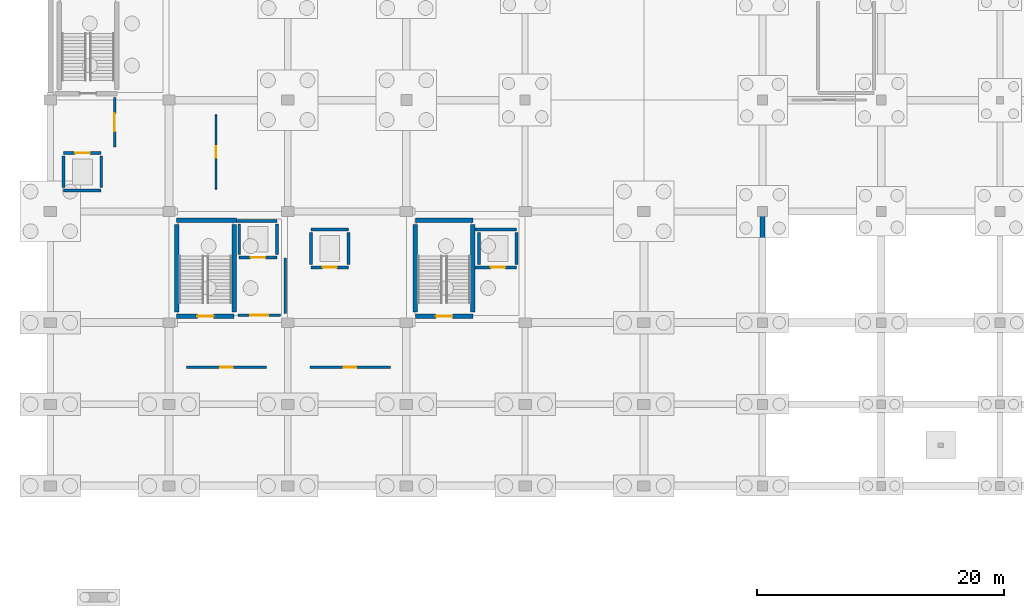
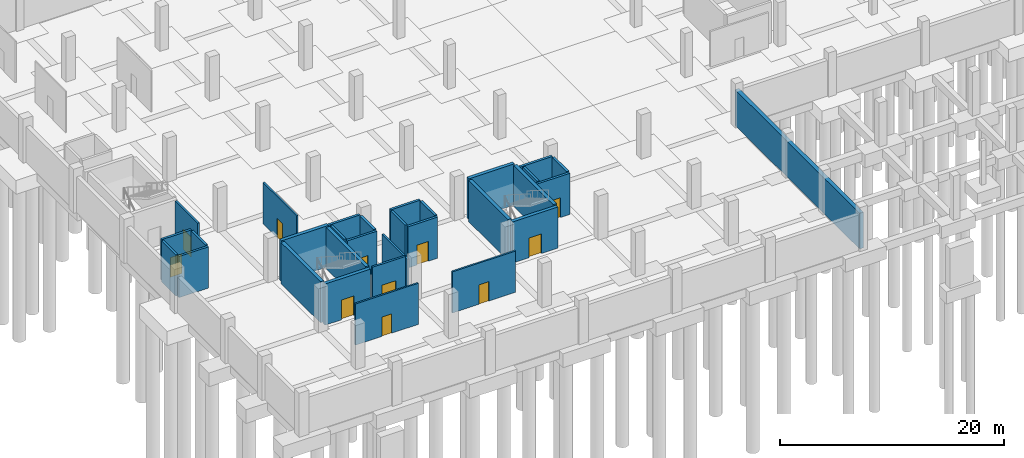
# One storey, part 25 of 39: 31 walls, 11 doors, 11 openings.
"""IFC4 building model written with IfcOpenShell, lengths in metres."""

from ifc_helpers import new_model, si_unit, direction, frame, frame_2d, origin, place, context, subcontext, project, spatial, rectangle, extrude, material, layer, layer_set, type_object, element, fill, save


model = new_model("IFC4")

# Units and contexts
model_context = context("Model", 3, precision=1e-05, world=origin(), true_north=direction((0.0, 1.0)))
body_context = subcontext(model_context, "Body", "Model", "MODEL_VIEW")
ifc_project = project(units=[si_unit("LENGTHUNIT", "METRE"), si_unit("AREAUNIT", "SQUARE_METRE"), si_unit("VOLUMEUNIT", "CUBIC_METRE"), si_unit("PLANEANGLEUNIT", "RADIAN"), si_unit("MASSUNIT", "GRAM", prefix="KILO")], contexts=[model_context])

# Site, building, storey
site_placement = place(None, origin())
site = spatial("IfcSite", under=ifc_project, at=site_placement, CompositionType="ELEMENT")
building_placement = place(site_placement, origin())
building = spatial("IfcBuilding", under=site, at=building_placement, Name="Zarnetskaya Central Station", CompositionType="ELEMENT")
storey_placement = place(building_placement, frame((0.0, 0.0, -4.800048828125)))
storey = spatial("IfcBuildingStorey", under=building, at=storey_placement, Name="B1", CompositionType="ELEMENT", Elevation=-4.800048828125)

# Wall, opening, door
ifc_material_1 = material(Name="Gypsum acoustic partition")
ifc_layer_1 = layer(ifc_material_1, 0.159912109375, Name="Gypsum acoustic partition")
ifc_layer_set_1 = layer_set([ifc_layer_1], Name="Gypsum acoustic partition")
wall_type_1 = type_object("IfcWallType", Name="PART-ACOU-160", PredefinedType="PARTITIONING", material=ifc_layer_set_1)
wall_1_placement = place(storey_placement, frame((13.39990234375, 24.0, 0.0), z_axis=(0.0, 0.0, 1.0), x_axis=(0.0, 1.0, 0.0)))
wall_1 = element("IfcWall", 1, at=wall_1_placement, inside=storey, type_object=wall_type_1, Name="Interior partition IPRT-B1-0374", PredefinedType="PARTITIONING", context=body_context, shape_type="SweptSolid", body=[
    extrude(rectangle(XDim=6.0, YDim=0.159912109375, at=frame_2d((3.0, 0.0))), origin(), (0.0, 0.0, 1.0), 4.47998046875),
])
opening_1_placement = place(wall_1_placement, frame((2.530029296875, 0.0, 0.0)))
opening_1 = element("IfcOpeningElement", 2, at=opening_1_placement, cuts=wall_1, Name="Opening DR-04", PredefinedType="OPENING", context=body_context, shape_type="SweptSolid", body=[
    extrude(rectangle(XDim=0.93994140625, YDim=2.1201171875, at=frame_2d((0.469970703125, 1.06005859375))), frame((0.0, 0.08984375, 0.0), z_axis=(0.0, -1.0, 0.0), x_axis=(1.0, 0.0, 0.0)), (0.0, 0.0, 1.0), 0.179931640625),
])
ifc_material_2 = material(Name="Anodised aluminium", Category="aluminium")
door_type_1 = type_object("IfcDoorType", Name="DR-INT-19", OperationType="NOTDEFINED", PredefinedType="DOOR", material=ifc_material_2)
door_1_placement = place(opening_1_placement, origin())
door_1 = element("IfcDoor", 3, at=door_1_placement, inside=storey, type_object=door_type_1, Name="Left Luggage Vault and Custody Hall door", OperationType="SINGLE_SWING_RIGHT", OverallHeight=2.1201171875, OverallWidth=0.93994140625, PredefinedType="DOOR", context=body_context, shape_type="SweptSolid", body=[
    extrude(rectangle(XDim=0.93994140625, YDim=2.1201171875, at=frame_2d((0.469970703125, 1.06005859375))), frame((0.0, 0.02490234375, 0.0), z_axis=(0.0, -1.0, 0.0), x_axis=(1.0, 0.0, 0.0)), (0.0, 0.0, 1.0), 0.050048828125),
])
fill(opening_1, door_1)

ifc_material_3 = material(Name="Concrete C30/37", Category="concrete")
ifc_layer_2 = layer(ifc_material_3, 0.205078125, Name="Concrete C30/37", Category="concrete")
ifc_layer_set_2 = layer_set([ifc_layer_2], Name="Concrete C30/37")
wall_type_2 = type_object("IfcWallType", Name="PART-FFL-205", PredefinedType="PARTITIONING", material=ifc_layer_set_2)
wall_2_placement = place(storey_placement, frame((18.60009765625, 13.800048828125, 0.0), z_axis=(0.0, 0.0, 1.0), x_axis=(-1.0, 0.0, 0.0)))
wall_2 = element("IfcWall", 4, at=wall_2_placement, inside=storey, type_object=wall_type_2, Name="Interior partition IPRT-B1-0353", PredefinedType="PARTITIONING", context=body_context, shape_type="SweptSolid", body=[
    extrude(rectangle(XDim=3.400146484375, YDim=0.205078125, at=frame_2d((1.7001953125, 0.0))), origin(), (0.0, 0.0, 1.0), 4.47998046875),
])
opening_2_placement = place(wall_2_placement, frame((0.97998046875, 0.0, 0.0)))
opening_2 = element("IfcOpeningElement", 5, at=opening_2_placement, cuts=wall_2, Name="Opening DR-FFL", PredefinedType="OPENING", context=body_context, shape_type="SweptSolid", body=[
    extrude(rectangle(XDim=1.43994140625, YDim=2.179931640625, at=frame_2d((0.719970703125, 1.08984375))), frame((0.0, 0.112548828125, 0.0), z_axis=(0.0, -1.0, 0.0), x_axis=(1.0, 0.0, 0.0)), (0.0, 0.0, 1.0), 0.22509765625),
])
door_type_2 = type_object("IfcDoorType", Name="DR-FIRE-LOBBY", OperationType="NOTDEFINED", PredefinedType="DOOR", material=ifc_material_2)
door_2_placement = place(opening_2_placement, origin())
door_2 = element("IfcDoor", 6, at=door_2_placement, inside=storey, type_object=door_type_2, Name="Firefighting Lift Lobby C1 door", OperationType="SINGLE_SWING_RIGHT", OverallHeight=2.179931640625, OverallWidth=1.43994140625, PredefinedType="DOOR", context=body_context, shape_type="SweptSolid", body=[
    extrude(rectangle(XDim=1.43994140625, YDim=2.179931640625, at=frame_2d((0.719970703125, 1.08984375))), frame((0.0, 0.02490234375, 0.0), z_axis=(0.0, -1.0, 0.0), x_axis=(1.0, 0.0, 0.0)), (0.0, 0.0, 1.0), 0.050048828125),
])
fill(opening_2, door_2)

# Wall
wall_3_placement = place(storey_placement, frame((19.0, 18.449951171875, 0.0), z_axis=(0.0, 0.0, 1.0), x_axis=(0.0, -1.0, 0.0)))
element("IfcWall", 7, at=wall_3_placement, inside=storey, type_object=wall_type_2, Name="Interior partition IPRT-B1-0354", PredefinedType="PARTITIONING", context=body_context, shape_type="SweptSolid", body=[
    extrude(rectangle(XDim=4.5, YDim=0.205078125, at=frame_2d((2.25, 0.0))), origin(), (0.0, 0.0, 1.0), 3.900146484375),
])

# Wall, opening, door
wall_4_placement = place(storey_placement, frame((5.199951171875, 31.39990234375, 0.0), z_axis=(0.0, 0.0, 1.0), x_axis=(0.0, -1.0, 0.0)))
wall_4 = element("IfcWall", 8, at=wall_4_placement, inside=storey, type_object=wall_type_2, Name="Interior partition IPRT-B1-0355", PredefinedType="PARTITIONING", context=body_context, shape_type="SweptSolid", body=[
    extrude(rectangle(XDim=4.0, YDim=0.205078125, at=frame_2d((2.0, 0.0))), origin(), (0.0, 0.0, 1.0), 4.47998046875),
])
opening_3_placement = place(wall_4_placement, frame((1.280029296875, 0.0, 0.0)))
opening_3 = element("IfcOpeningElement", 9, at=opening_3_placement, cuts=wall_4, Name="Opening DR-FFL", PredefinedType="OPENING", context=body_context, shape_type="SweptSolid", body=[
    extrude(rectangle(XDim=1.43994140625, YDim=2.179931640625, at=frame_2d((0.719970703125, 1.08984375))), frame((0.0, 0.112548828125, 0.0), z_axis=(0.0, -1.0, 0.0), x_axis=(1.0, 0.0, 0.0)), (0.0, 0.0, 1.0), 0.22509765625),
])
door_3_placement = place(opening_3_placement, origin())
door_3 = element("IfcDoor", 10, at=door_3_placement, inside=storey, type_object=door_type_2, Name="Firefighting Lift Lobby C2 door", OperationType="SINGLE_SWING_LEFT", OverallHeight=2.179931640625, OverallWidth=1.43994140625, PredefinedType="DOOR", context=body_context, shape_type="SweptSolid", body=[
    extrude(rectangle(XDim=1.43994140625, YDim=2.179931640625, at=frame_2d((0.719970703125, 1.08984375))), frame((0.0, 0.02490234375, 0.0), z_axis=(0.0, -1.0, 0.0), x_axis=(1.0, 0.0, 0.0)), (0.0, 0.0, 1.0), 0.050048828125),
])
fill(opening_3, door_3)

ifc_layer_3 = layer(ifc_material_3, 0.175048828125, Name="Concrete C30/37", Category="concrete")
ifc_layer_set_3 = layer_set([ifc_layer_3], Name="Concrete C30/37")
wall_type_3 = type_object("IfcWallType", Name="PART-PLNT-175", PredefinedType="PARTITIONING", material=ifc_layer_set_3)
wall_5_placement = place(storey_placement, frame((11.0, 9.60009765625, 0.0), z_axis=(0.0, 0.0, 1.0), x_axis=(1.0, 0.0, 0.0)))
wall_5 = element("IfcWall", 11, at=wall_5_placement, inside=storey, type_object=wall_type_3, Name="Interior partition IPRT-B1-0378", PredefinedType="PARTITIONING", context=body_context, shape_type="SweptSolid", body=[
    extrude(rectangle(XDim=6.5, YDim=0.175048828125, at=frame_2d((3.25, 0.0))), origin(), (0.0, 0.0, 1.0), 4.47998046875),
])
opening_4_placement = place(wall_5_placement, frame((2.760009765625, 0.0, 0.0)))
opening_4 = element("IfcOpeningElement", 12, at=opening_4_placement, cuts=wall_5, Name="Opening DR-22", PredefinedType="OPENING", context=body_context, shape_type="SweptSolid", body=[
    extrude(rectangle(XDim=0.97998046875, YDim=2.10009765625, at=frame_2d((0.489990234375, 1.050048828125))), frame((0.0, 0.09765625, 0.0), z_axis=(0.0, -1.0, 0.0), x_axis=(1.0, 0.0, 0.0)), (0.0, 0.0, 1.0), 0.195068359375),
])
door_type_3 = type_object("IfcDoorType", Name="DR-INT-03", OperationType="NOTDEFINED", PredefinedType="DOOR", material=ifc_material_2)
door_4_placement = place(opening_4_placement, origin())
door_4 = element("IfcDoor", 13, at=door_4_placement, inside=storey, type_object=door_type_3, Name="Traction and Station Electrical Substation West door", OperationType="SINGLE_SWING_RIGHT", OverallHeight=2.10009765625, OverallWidth=0.97998046875, PredefinedType="DOOR", context=body_context, shape_type="SweptSolid", body=[
    extrude(rectangle(XDim=0.97998046875, YDim=2.10009765625, at=frame_2d((0.489990234375, 1.050048828125))), frame((0.0, 0.02490234375, 0.0), z_axis=(0.0, -1.0, 0.0), x_axis=(1.0, 0.0, 0.0)), (0.0, 0.0, 1.0), 0.050048828125),
])
fill(opening_4, door_4)

wall_6_placement = place(storey_placement, frame((21.0, 9.60009765625, 0.0), z_axis=(0.0, 0.0, 1.0), x_axis=(1.0, 0.0, 0.0)))
wall_6 = element("IfcWall", 14, at=wall_6_placement, inside=storey, type_object=wall_type_3, Name="Interior partition IPRT-B1-0379", PredefinedType="PARTITIONING", context=body_context, shape_type="SweptSolid", body=[
    extrude(rectangle(XDim=6.5, YDim=0.175048828125, at=frame_2d((3.25, 0.0))), origin(), (0.0, 0.0, 1.0), 4.47998046875),
])
opening_5_placement = place(wall_6_placement, frame((2.75, 0.0, 0.0)))
opening_5 = element("IfcOpeningElement", 15, at=opening_5_placement, cuts=wall_6, Name="Opening DR-06", PredefinedType="OPENING", context=body_context, shape_type="SweptSolid", body=[
    extrude(rectangle(XDim=1.0, YDim=2.1201171875, at=frame_2d((0.5, 1.06005859375))), frame((0.0, 0.09765625, 0.0), z_axis=(0.0, -1.0, 0.0), x_axis=(1.0, 0.0, 0.0)), (0.0, 0.0, 1.0), 0.195068359375),
])
door_type_4 = type_object("IfcDoorType", Name="DR-INT-04", OperationType="NOTDEFINED", PredefinedType="DOOR", material=ifc_material_2)
door_5_placement = place(opening_5_placement, origin())
door_5 = element("IfcDoor", 16, at=door_5_placement, inside=storey, type_object=door_type_4, Name="Traction and Station Electrical Substation East door", OperationType="SINGLE_SWING_LEFT", OverallHeight=2.1201171875, OverallWidth=1.0, PredefinedType="DOOR", context=body_context, shape_type="SweptSolid", body=[
    extrude(rectangle(XDim=1.0, YDim=2.1201171875, at=frame_2d((0.5, 1.06005859375))), frame((0.0, 0.02490234375, 0.0), z_axis=(0.0, -1.0, 0.0), x_axis=(1.0, 0.0, 0.0)), (0.0, 0.0, 1.0), 0.050048828125),
])
fill(opening_5, door_5)

ifc_material_4 = material(Name="Concrete C35/45", Category="concrete")
ifc_layer_4 = layer(ifc_material_4, 0.35009765625, Name="Concrete C35/45", Category="concrete")
ifc_layer_set_4 = layer_set([ifc_layer_4], Name="Concrete C35/45")
wall_type_4 = type_object("IfcWallType", Name="WALL-CORE-350", PredefinedType="SHEAR", material=ifc_layer_set_4)
wall_7_placement = place(storey_placement, frame((14.875, 13.72509765625, 0.0), z_axis=(0.0, 0.0, 1.0), x_axis=(-1.0, 0.0, 0.0)))
wall_7 = element("IfcWall", 17, at=wall_7_placement, inside=storey, type_object=wall_type_4, Name="Core shear wall WSTR-B1-0189", PredefinedType="SHEAR", context=body_context, shape_type="SweptSolid", body=[
    extrude(rectangle(XDim=4.64990234375, YDim=0.35009765625, at=frame_2d((2.324951171875, 0.0))), origin(), (0.0, 0.0, 1.0), 4.47998046875),
])
opening_6_placement = place(wall_7_placement, frame((1.6650390625, 0.0, 0.0)))
opening_6 = element("IfcOpeningElement", 18, at=opening_6_placement, cuts=wall_7, Name="Opening DR-FD60", PredefinedType="OPENING", context=body_context, shape_type="SweptSolid", body=[
    extrude(rectangle(XDim=1.320068359375, YDim=2.14990234375, at=frame_2d((0.66015625, 1.074951171875))), frame((0.0, 0.18505859375, 0.0), z_axis=(0.0, -1.0, 0.0), x_axis=(1.0, 0.0, 0.0)), (0.0, 0.0, 1.0), 0.3701171875),
])
door_type_5 = type_object("IfcDoorType", Name="DR-FIRE-STAIR", OperationType="NOTDEFINED", PredefinedType="DOOR", material=ifc_material_2)
door_6_placement = place(opening_6_placement, origin())
door_6 = element("IfcDoor", 19, at=door_6_placement, inside=storey, type_object=door_type_5, Name="Protected exit stair door ST-C1 B1", OperationType="SINGLE_SWING_LEFT", OverallHeight=2.14990234375, OverallWidth=1.320068359375, PredefinedType="DOOR", context=body_context, shape_type="SweptSolid", body=[
    extrude(rectangle(XDim=1.320068359375, YDim=2.14990234375, at=frame_2d((0.66015625, 1.074951171875))), frame((0.0, 0.02490234375, 0.0), z_axis=(0.0, -1.0, 0.0), x_axis=(1.0, 0.0, 0.0)), (0.0, 0.0, 1.0), 0.050048828125),
])
fill(opening_6, door_6)

# Walls
wall_8_placement = place(storey_placement, frame((10.22509765625, 21.47509765625, 0.0), z_axis=(0.0, 0.0, 1.0), x_axis=(1.0, 0.0, 0.0)))
element("IfcWall", 20, at=wall_8_placement, inside=storey, type_object=wall_type_4, Name="Core shear wall WSTR-B1-0190", PredefinedType="SHEAR", context=body_context, shape_type="SweptSolid", body=[
    extrude(rectangle(XDim=4.824951171875, YDim=0.35009765625, at=frame_2d((2.41259765625, 0.0))), origin(), (0.0, 0.0, 1.0), 4.47998046875),
])
for number, where, z_axis, x_axis, name in (
    (21, (10.22509765625, 14.074951171875, 0.0), (0.0, 0.0, 1.0), (0.0, 1.0, 0.0), "Core shear wall WSTR-B1-0191"),
    (22, (14.875, 21.125, 0.0), (0.0, 0.0, 1.0), (0.0, -1.0, 0.0), "Core shear wall WSTR-B1-0192"),
):
    element("IfcWall", number, at=place(storey_placement, frame(where, z_axis=z_axis, x_axis=x_axis)), inside=storey, type_object=wall_type_4, Name=name, PredefinedType="SHEAR", context=body_context, shape_type="SweptSolid", body=[
        extrude(rectangle(XDim=7.050048828125, YDim=0.35009765625, at=frame_2d((3.52490234375, 0.0))), origin(), (0.0, 0.0, 1.0), 4.47998046875),
    ])

# Wall, opening, door
wall_9_placement = place(storey_placement, frame((34.175048828125, 13.72509765625, 0.0), z_axis=(0.0, 0.0, 1.0), x_axis=(-1.0, 0.0, 0.0)))
wall_9 = element("IfcWall", 23, at=wall_9_placement, inside=storey, type_object=wall_type_4, Name="Core shear wall WSTR-B1-0245", PredefinedType="SHEAR", context=body_context, shape_type="SweptSolid", body=[
    extrude(rectangle(XDim=4.650146484375, YDim=0.35009765625, at=frame_2d((2.3251953125, 0.0))), origin(), (0.0, 0.0, 1.0), 4.47998046875),
])
opening_7_placement = place(wall_9_placement, frame((1.6650390625, 0.0, 0.0)))
opening_7 = element("IfcOpeningElement", 24, at=opening_7_placement, cuts=wall_9, Name="Opening DR-FD60", PredefinedType="OPENING", context=body_context, shape_type="SweptSolid", body=[
    extrude(rectangle(XDim=1.320068359375, YDim=2.14990234375, at=frame_2d((0.66015625, 1.074951171875))), frame((0.0, 0.18505859375, 0.0), z_axis=(0.0, -1.0, 0.0), x_axis=(1.0, 0.0, 0.0)), (0.0, 0.0, 1.0), 0.3701171875),
])
door_7_placement = place(opening_7_placement, origin())
door_7 = element("IfcDoor", 25, at=door_7_placement, inside=storey, type_object=door_type_5, Name="Protected exit stair door ST-C3 B1", OperationType="SINGLE_SWING_LEFT", OverallHeight=2.14990234375, OverallWidth=1.320068359375, PredefinedType="DOOR", context=body_context, shape_type="SweptSolid", body=[
    extrude(rectangle(XDim=1.320068359375, YDim=2.14990234375, at=frame_2d((0.66015625, 1.074951171875))), frame((0.0, 0.02490234375, 0.0), z_axis=(0.0, -1.0, 0.0), x_axis=(1.0, 0.0, 0.0)), (0.0, 0.0, 1.0), 0.050048828125),
])
fill(opening_7, door_7)

# Walls
wall_10_placement = place(storey_placement, frame((29.52490234375, 21.47509765625, 0.0), z_axis=(0.0, 0.0, 1.0), x_axis=(1.0, 0.0, 0.0)))
element("IfcWall", 26, at=wall_10_placement, inside=storey, type_object=wall_type_4, Name="Core shear wall WSTR-B1-0246", PredefinedType="SHEAR", context=body_context, shape_type="SweptSolid", body=[
    extrude(rectangle(XDim=4.650146484375, YDim=0.35009765625, at=frame_2d((2.3251953125, 0.0))), origin(), (0.0, 0.0, 1.0), 4.47998046875),
])
for number, where, z_axis, x_axis, name in (
    (27, (29.52490234375, 14.074951171875, 0.0), (0.0, 0.0, 1.0), (0.0, 1.0, 0.0), "Core shear wall WSTR-B1-0247"),
    (28, (34.175048828125, 21.125, 0.0), (0.0, 0.0, 1.0), (0.0, -1.0, 0.0), "Core shear wall WSTR-B1-0248"),
):
    element("IfcWall", number, at=place(storey_placement, frame(where, z_axis=z_axis, x_axis=x_axis)), inside=storey, type_object=wall_type_4, Name=name, PredefinedType="SHEAR", context=body_context, shape_type="SweptSolid", body=[
        extrude(rectangle(XDim=7.050048828125, YDim=0.35009765625, at=frame_2d((3.52490234375, 0.0))), origin(), (0.0, 0.0, 1.0), 4.47998046875),
    ])
ifc_layer_5 = layer(ifc_material_4, 0.39990234375, Name="Concrete C35/45", Category="concrete")
ifc_layer_set_5 = layer_set([ifc_layer_5], Name="Concrete C35/45")
wall_type_5 = type_object("IfcWallType", Name="WALL-RET-400", PredefinedType="USERDEFINED", material=ifc_layer_set_5)
wall_11_placement = place(storey_placement, frame((57.60009765625, 22.199951171875, 0.0), z_axis=(0.0, 0.0, 1.0), x_axis=(0.0, -1.0, 0.0)))
element("IfcWall", 29, at=wall_11_placement, inside=storey, type_object=wall_type_5, Name="Basement perimeter retaining wall 13", ObjectType="RETAININGWALL", PredefinedType="USERDEFINED", context=body_context, shape_type="SweptSolid", body=[
    extrude(rectangle(XDim=22.199951171875, YDim=0.39990234375, at=frame_2d((11.10009765625, 0.0))), origin(), (0.0, 0.0, 1.0), 3.880126953125),
])

# Wall, opening, door
ifc_layer_6 = layer(ifc_material_4, 0.239990234375, Name="Concrete C35/45", Category="concrete")
ifc_layer_set_6 = layer_set([ifc_layer_6], Name="Concrete C35/45")
wall_type_6 = type_object("IfcWallType", Name="WALL-SHFT-240", PredefinedType="SHEAR", material=ifc_layer_set_6)
wall_12_placement = place(storey_placement, frame((18.320068359375, 18.47998046875, 0.0), z_axis=(0.0, 0.0, 1.0), x_axis=(-1.0, 0.0, 0.0)))
wall_12 = element("IfcWall", 30, at=wall_12_placement, inside=storey, type_object=wall_type_6, Name="Core shear wall WSHF-B1-0001", PredefinedType="SHEAR", context=body_context, shape_type="SweptSolid", body=[
    extrude(rectangle(XDim=3.0400390625, YDim=0.239990234375, at=frame_2d((1.52001953125, 0.0))), origin(), (0.0, 0.0, 1.0), 4.47998046875),
])
opening_8_placement = place(wall_12_placement, frame((0.919921875, 0.0, 0.0)))
opening_8 = element("IfcOpeningElement", 31, at=opening_8_placement, cuts=wall_12, Name="Opening LD-FF", PredefinedType="OPENING", context=body_context, shape_type="SweptSolid", body=[
    extrude(rectangle(XDim=1.199951171875, YDim=2.14990234375, at=frame_2d((0.60009765625, 1.074951171875))), frame((0.0, 0.1298828125, 0.0), z_axis=(0.0, -1.0, 0.0), x_axis=(1.0, 0.0, 0.0)), (0.0, 0.0, 1.0), 0.260009765625),
])
door_type_6 = type_object("IfcDoorType", Name="DR-LIFT-FF", OperationType="NOTDEFINED", PredefinedType="DOOR", material=ifc_material_2)
door_8_placement = place(opening_8_placement, origin())
door_8 = element("IfcDoor", 32, at=door_8_placement, inside=storey, type_object=door_type_6, Name="Lift landing sliding door FL-01 B1", OperationType="DOUBLE_DOOR_SLIDING", OverallHeight=2.14990234375, OverallWidth=1.199951171875, PredefinedType="DOOR", context=body_context, shape_type="SweptSolid", body=[
    extrude(rectangle(XDim=1.199951171875, YDim=2.14990234375, at=frame_2d((0.60009765625, 1.074951171875))), frame((0.0, 0.02490234375, 0.0), z_axis=(0.0, -1.0, 0.0), x_axis=(1.0, 0.0, 0.0)), (0.0, 0.0, 1.0), 0.050048828125),
])
fill(opening_8, door_8)

# Walls
wall_13_placement = place(storey_placement, frame((15.050048828125, 21.419921875, 0.0), z_axis=(0.0, 0.0, 1.0), x_axis=(1.0, 0.0, 0.0)))
element("IfcWall", 33, at=wall_13_placement, inside=storey, type_object=wall_type_6, Name="Core shear wall WSHF-B1-0002", PredefinedType="SHEAR", context=body_context, shape_type="SweptSolid", body=[
    extrude(rectangle(XDim=3.27001953125, YDim=0.239990234375, at=frame_2d((1.635009765625, 0.0))), origin(), (0.0, 0.0, 1.0), 4.47998046875),
])
for number, where, z_axis, x_axis, name in (
    (34, (15.280029296875, 18.719970703125, 0.0), (0.0, 0.0, 1.0), (0.0, 1.0, 0.0), "Core shear wall WSHF-B1-0003"),
    (35, (18.320068359375, 21.179931640625, 0.0), (0.0, 0.0, 1.0), (0.0, -1.0, 0.0), "Core shear wall WSHF-B1-0004"),
):
    element("IfcWall", number, at=place(storey_placement, frame(where, z_axis=z_axis, x_axis=x_axis)), inside=storey, type_object=wall_type_6, Name=name, PredefinedType="SHEAR", context=body_context, shape_type="SweptSolid", body=[
        extrude(rectangle(XDim=2.4599609375, YDim=0.239990234375, at=frame_2d((1.22998046875, 0.0))), origin(), (0.0, 0.0, 1.0), 4.47998046875),
    ])

# Wall, opening, door
wall_14_placement = place(storey_placement, frame((24.1201171875, 17.679931640625, 0.0), z_axis=(0.0, 0.0, 1.0), x_axis=(-1.0, 0.0, 0.0)))
wall_14 = element("IfcWall", 36, at=wall_14_placement, inside=storey, type_object=wall_type_6, Name="Core shear wall WSHF-B1-0029", PredefinedType="SHEAR", context=body_context, shape_type="SweptSolid", body=[
    extrude(rectangle(XDim=3.0400390625, YDim=0.239990234375, at=frame_2d((1.52001953125, 0.0))), origin(), (0.0, 0.0, 1.0), 4.47998046875),
])
opening_9_placement = place(wall_14_placement, frame((0.93994140625, 0.0, 0.0)))
opening_9 = element("IfcOpeningElement", 37, at=opening_9_placement, cuts=wall_14, Name="Opening DR-24", PredefinedType="OPENING", context=body_context, shape_type="SweptSolid", body=[
    extrude(rectangle(XDim=1.159912109375, YDim=2.14990234375, at=frame_2d((0.580078125, 1.074951171875))), frame((0.0, 0.1298828125, 0.0), z_axis=(0.0, -1.0, 0.0), x_axis=(1.0, 0.0, 0.0)), (0.0, 0.0, 1.0), 0.260009765625),
])
door_type_7 = type_object("IfcDoorType", Name="DR-LIFT-PAX", OperationType="NOTDEFINED", PredefinedType="DOOR", material=ifc_material_2)
door_9_placement = place(opening_9_placement, origin())
door_9 = element("IfcDoor", 38, at=door_9_placement, inside=storey, type_object=door_type_7, Name="Lift landing sliding door LP-01 B1", OperationType="DOUBLE_DOOR_SLIDING", OverallHeight=2.14990234375, OverallWidth=1.159912109375, PredefinedType="DOOR", context=body_context, shape_type="SweptSolid", body=[
    extrude(rectangle(XDim=1.159912109375, YDim=2.14990234375, at=frame_2d((0.580078125, 1.074951171875))), frame((0.0, 0.02490234375, 0.0), z_axis=(0.0, -1.0, 0.0), x_axis=(1.0, 0.0, 0.0)), (0.0, 0.0, 1.0), 0.050048828125),
])
fill(opening_9, door_9)

# Walls
wall_15_placement = place(storey_placement, frame((21.080078125, 20.719970703125, 0.0), z_axis=(0.0, 0.0, 1.0), x_axis=(1.0, 0.0, 0.0)))
element("IfcWall", 39, at=wall_15_placement, inside=storey, type_object=wall_type_6, Name="Core shear wall WSHF-B1-0030", PredefinedType="SHEAR", context=body_context, shape_type="SweptSolid", body=[
    extrude(rectangle(XDim=3.0400390625, YDim=0.239990234375, at=frame_2d((1.52001953125, 0.0))), origin(), (0.0, 0.0, 1.0), 4.47998046875),
])
for number, where, z_axis, x_axis, name in (
    (40, (21.080078125, 17.919921875, 0.0), (0.0, 0.0, 1.0), (0.0, 1.0, 0.0), "Core shear wall WSHF-B1-0031"),
    (41, (24.1201171875, 20.47998046875, 0.0), (0.0, 0.0, 1.0), (0.0, -1.0, 0.0), "Core shear wall WSHF-B1-0032"),
):
    element("IfcWall", number, at=place(storey_placement, frame(where, z_axis=z_axis, x_axis=x_axis)), inside=storey, type_object=wall_type_6, Name=name, PredefinedType="SHEAR", context=body_context, shape_type="SweptSolid", body=[
        extrude(rectangle(XDim=2.56005859375, YDim=0.239990234375, at=frame_2d((1.280029296875, 0.0))), origin(), (0.0, 0.0, 1.0), 4.47998046875),
    ])
wall_16_placement = place(storey_placement, frame((4.1201171875, 23.8798828125, 0.0), z_axis=(0.0, 0.0, 1.0), x_axis=(-1.0, 0.0, 0.0)))
element("IfcWall", 42, at=wall_16_placement, inside=storey, type_object=wall_type_6, Name="Core shear wall WSHF-B1-0057", PredefinedType="SHEAR", context=body_context, shape_type="SweptSolid", body=[
    extrude(rectangle(XDim=3.0400390625, YDim=0.239990234375, at=frame_2d((1.52001953125, 0.0))), origin(), (0.0, 0.0, 1.0), 4.47998046875),
])

# Wall, opening, door
wall_17_placement = place(storey_placement, frame((1.080078125, 26.919921875, 0.0), z_axis=(0.0, 0.0, 1.0), x_axis=(1.0, 0.0, 0.0)))
wall_17 = element("IfcWall", 43, at=wall_17_placement, inside=storey, type_object=wall_type_6, Name="Core shear wall WSHF-B1-0058", PredefinedType="SHEAR", context=body_context, shape_type="SweptSolid", body=[
    extrude(rectangle(XDim=3.0400390625, YDim=0.239990234375, at=frame_2d((1.52001953125, 0.0))), origin(), (0.0, 0.0, 1.0), 4.47998046875),
])
opening_10_placement = place(wall_17_placement, frame((0.919921875, 0.0, 0.0)))
opening_10 = element("IfcOpeningElement", 44, at=opening_10_placement, cuts=wall_17, Name="Opening LD-FF", PredefinedType="OPENING", context=body_context, shape_type="SweptSolid", body=[
    extrude(rectangle(XDim=1.199951171875, YDim=2.14990234375, at=frame_2d((0.60009765625, 1.074951171875))), frame((0.0, 0.1298828125, 0.0), z_axis=(0.0, -1.0, 0.0), x_axis=(1.0, 0.0, 0.0)), (0.0, 0.0, 1.0), 0.260009765625),
])
door_10_placement = place(opening_10_placement, origin())
door_10 = element("IfcDoor", 45, at=door_10_placement, inside=storey, type_object=door_type_6, Name="Lift landing sliding door FL-02 B1", OperationType="DOUBLE_DOOR_SLIDING", OverallHeight=2.14990234375, OverallWidth=1.199951171875, PredefinedType="DOOR", context=body_context, shape_type="SweptSolid", body=[
    extrude(rectangle(XDim=1.199951171875, YDim=2.14990234375, at=frame_2d((0.60009765625, 1.074951171875))), frame((0.0, 0.02490234375, 0.0), z_axis=(0.0, -1.0, 0.0), x_axis=(1.0, 0.0, 0.0)), (0.0, 0.0, 1.0), 0.050048828125),
])
fill(opening_10, door_10)

# Walls
for number, where, z_axis, x_axis, name in (
    (46, (1.080078125, 24.1201171875, 0.0), (0.0, 0.0, 1.0), (0.0, 1.0, 0.0), "Core shear wall WSHF-B1-0059"),
    (47, (4.1201171875, 26.679931640625, 0.0), (0.0, 0.0, 1.0), (0.0, -1.0, 0.0), "Core shear wall WSHF-B1-0060"),
):
    element("IfcWall", number, at=place(storey_placement, frame(where, z_axis=z_axis, x_axis=x_axis)), inside=storey, type_object=wall_type_6, Name=name, PredefinedType="SHEAR", context=body_context, shape_type="SweptSolid", body=[
        extrude(rectangle(XDim=2.559814453125, YDim=0.239990234375, at=frame_2d((1.27978515625, 0.0))), origin(), (0.0, 0.0, 1.0), 4.47998046875),
    ])

# Wall, opening, door
wall_18_placement = place(storey_placement, frame((37.719970703125, 17.679931640625, 0.0), z_axis=(0.0, 0.0, 1.0), x_axis=(-1.0, 0.0, 0.0)))
wall_18 = element("IfcWall", 48, at=wall_18_placement, inside=storey, type_object=wall_type_6, Name="Core shear wall WSHF-B1-0113", PredefinedType="SHEAR", context=body_context, shape_type="SweptSolid", body=[
    extrude(rectangle(XDim=3.369873046875, YDim=0.239990234375, at=frame_2d((1.68505859375, 0.0))), origin(), (0.0, 0.0, 1.0), 4.47998046875),
])
opening_11_placement = place(wall_18_placement, frame((0.93994140625, 0.0, 0.0)))
opening_11 = element("IfcOpeningElement", 49, at=opening_11_placement, cuts=wall_18, Name="Opening DR-24", PredefinedType="OPENING", context=body_context, shape_type="SweptSolid", body=[
    extrude(rectangle(XDim=1.159912109375, YDim=2.14990234375, at=frame_2d((0.580078125, 1.074951171875))), frame((0.0, 0.1298828125, 0.0), z_axis=(0.0, -1.0, 0.0), x_axis=(1.0, 0.0, 0.0)), (0.0, 0.0, 1.0), 0.260009765625),
])
door_11_placement = place(opening_11_placement, origin())
door_11 = element("IfcDoor", 50, at=door_11_placement, inside=storey, type_object=door_type_7, Name="Lift landing sliding door LP-03 B1", OperationType="DOUBLE_DOOR_SLIDING", OverallHeight=2.14990234375, OverallWidth=1.159912109375, PredefinedType="DOOR", context=body_context, shape_type="SweptSolid", body=[
    extrude(rectangle(XDim=1.159912109375, YDim=2.14990234375, at=frame_2d((0.580078125, 1.074951171875))), frame((0.0, 0.02490234375, 0.0), z_axis=(0.0, -1.0, 0.0), x_axis=(1.0, 0.0, 0.0)), (0.0, 0.0, 1.0), 0.050048828125),
])
fill(opening_11, door_11)

# Walls
wall_19_placement = place(storey_placement, frame((34.35009765625, 20.719970703125, 0.0), z_axis=(0.0, 0.0, 1.0), x_axis=(1.0, 0.0, 0.0)))
element("IfcWall", 51, at=wall_19_placement, inside=storey, type_object=wall_type_6, Name="Core shear wall WSHF-B1-0114", PredefinedType="SHEAR", context=body_context, shape_type="SweptSolid", body=[
    extrude(rectangle(XDim=3.369873046875, YDim=0.239990234375, at=frame_2d((1.68505859375, 0.0))), origin(), (0.0, 0.0, 1.0), 4.47998046875),
])
for number, where, z_axis, x_axis, name in (
    (52, (34.679931640625, 17.919921875, 0.0), (0.0, 0.0, 1.0), (0.0, 1.0, 0.0), "Core shear wall WSHF-B1-0115"),
    (53, (37.719970703125, 20.47998046875, 0.0), (0.0, 0.0, 1.0), (0.0, -1.0, 0.0), "Core shear wall WSHF-B1-0116"),
):
    element("IfcWall", number, at=place(storey_placement, frame(where, z_axis=z_axis, x_axis=x_axis)), inside=storey, type_object=wall_type_6, Name=name, PredefinedType="SHEAR", context=body_context, shape_type="SweptSolid", body=[
        extrude(rectangle(XDim=2.56005859375, YDim=0.239990234375, at=frame_2d((1.280029296875, 0.0))), origin(), (0.0, 0.0, 1.0), 4.47998046875),
    ])

save(model, "model.ifc")
